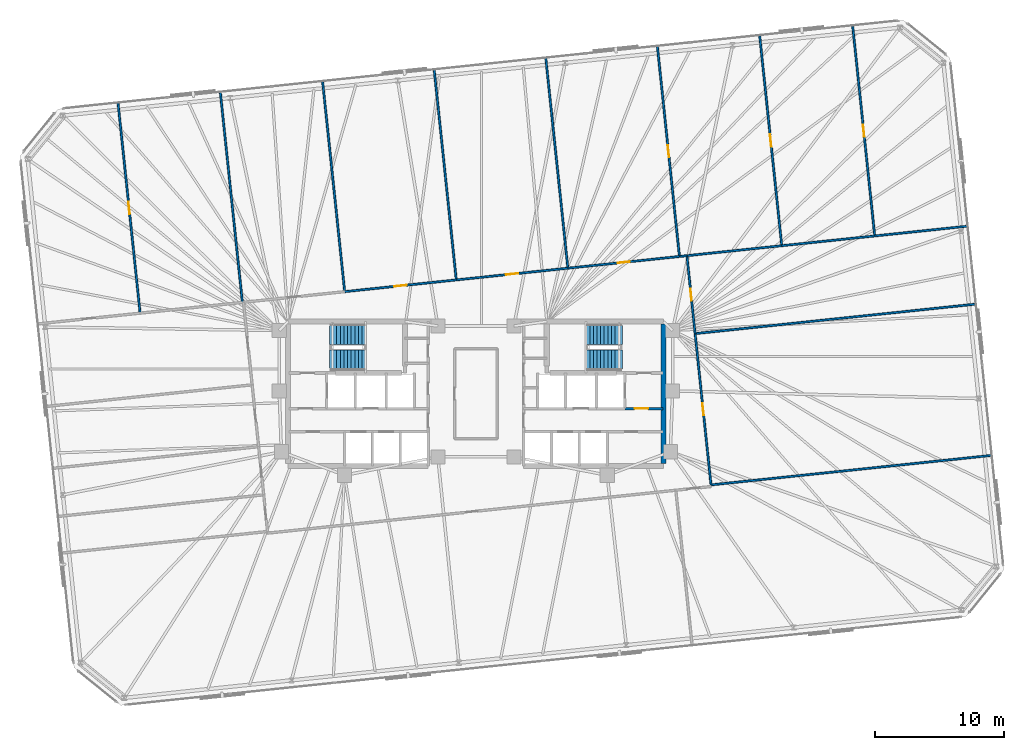
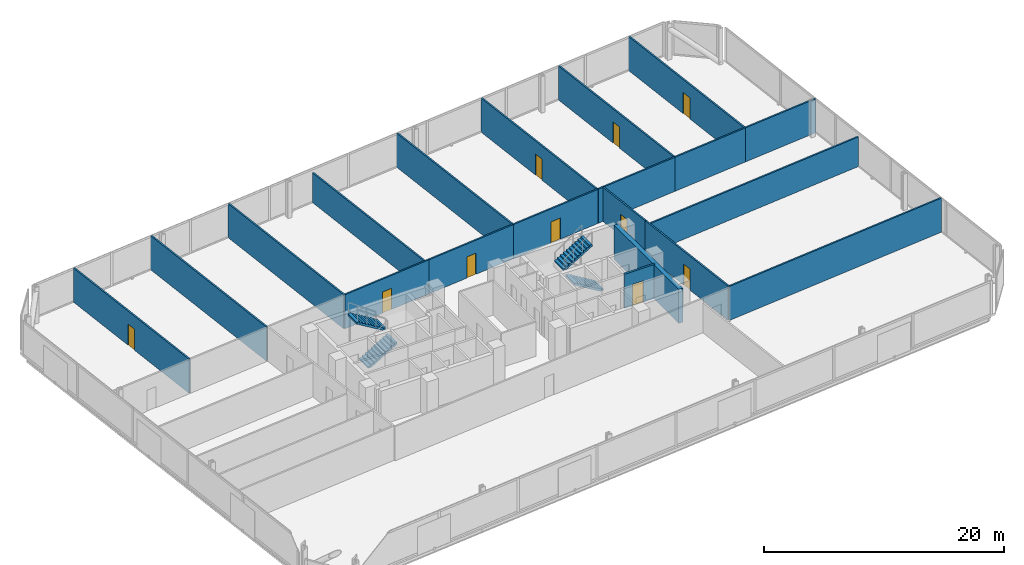
# One storey, part 16 of 18: 21 walls, 10 doors, 4 stair flights, 10 openings, 2 elements without a shape of their own.
"""IFC4 building model written with IfcOpenShell, lengths in metres."""

from ifc_helpers import new_model, si_unit, direction, frame, frame_2d, origin, place, context, subcontext, project, spatial, polyline, rectangle, outline, extrude, material, layer, layer_set, type_object, element, fill, aggregate, save


model = new_model("IFC4")

# Units and contexts
model_context = context("Model", 3, precision=1e-05, world=origin(), true_north=direction((0.0, 1.0)))
body_context = subcontext(model_context, "Body", "Model", "MODEL_VIEW")
ifc_project = project(units=[si_unit("LENGTHUNIT", "METRE"), si_unit("AREAUNIT", "SQUARE_METRE"), si_unit("VOLUMEUNIT", "CUBIC_METRE"), si_unit("PLANEANGLEUNIT", "RADIAN"), si_unit("MASSUNIT", "GRAM", prefix="KILO")], contexts=[model_context])

# Site, building, storey
site_placement = place(None, origin())
site = spatial("IfcSite", under=ifc_project, at=site_placement, CompositionType="ELEMENT")
building_placement = place(site_placement, origin())
building = spatial("IfcBuilding", under=site, at=building_placement, Name="Menara Jurai Vektor", CompositionType="ELEMENT")
storey_placement = place(building_placement, frame((0.0, 0.0, 128.10009765625)))
storey = spatial("IfcBuildingStorey", under=building, at=storey_placement, Name="L32", CompositionType="ELEMENT", Elevation=128.10009765625)

# Wall, opening, door
ifc_material_1 = material(Name="Concrete C40/50", Category="concrete")
ifc_layer_1 = layer(ifc_material_1, 0.25)
ifc_layer_set_1 = layer_set([ifc_layer_1], Name="Concrete C40/50")
wall_type_1 = type_object("IfcWallType", Name="INT-WALL-CORE-250", PredefinedType="STANDARD", material=ifc_layer_set_1)
wall_1_placement = place(storey_placement, frame((11.550048828125, -1.14990234375, 0.0), z_axis=(0.0, 0.0, 1.0), x_axis=(1.0, 0.0, 0.0)))
wall_1 = element("IfcWall", 1, at=wall_1_placement, inside=storey, type_object=wall_type_1, Name="Interior Wall IW-250 L32", PredefinedType="STANDARD", context=body_context, shape_type="SweptSolid", body=[
    extrude(rectangle(XDim=2.949951171875, YDim=0.199951171875, at=frame_2d((1.47509765625, 0.0))), origin(), (0.0, 0.0, 1.0), 3.474853515625),
])
opening_1_placement = place(wall_1_placement, frame((0.75, 0.0, 0.0)))
opening_1 = element("IfcOpeningElement", 2, at=opening_1_placement, cuts=wall_1, Name="Opening D-L32-FFE", PredefinedType="OPENING", context=body_context, shape_type="SweptSolid", body=[
    extrude(rectangle(XDim=1.050048828125, YDim=2.179931640625, at=frame_2d((0.52490234375, 1.08984375))), frame((0.0, 0.10986328125, 0.0), z_axis=(0.0, -1.0, 0.0), x_axis=(1.0, 0.0, 0.0)), (0.0, 0.0, 1.0), 0.219970703125),
])
ifc_material_2 = material(Name="Fire-Rated Timber Door", Category="wood")
door_type_1 = type_object("IfcDoorType", Name="DR-LOBBY-1050", OperationType="NOTDEFINED", PredefinedType="DOOR", material=ifc_material_2)
door_1_placement = place(opening_1_placement, origin())
door_1 = element("IfcDoor", 3, at=door_1_placement, inside=storey, type_object=door_type_1, Name="Fire Lift Lobby Door E L32", OperationType="SINGLE_SWING_LEFT", OverallHeight=2.179931640625, OverallWidth=1.050048828125, PredefinedType="DOOR", context=body_context, shape_type="SweptSolid", body=[
    extrude(rectangle(XDim=1.050048828125, YDim=2.179931640625, at=frame_2d((0.52490234375, 1.08984375))), frame((0.0, 0.02490234375, 0.0), z_axis=(0.0, -1.0, 0.0), x_axis=(1.0, 0.0, 0.0)), (0.0, 0.0, 1.0), 0.050048828125),
])
fill(opening_1, door_1)

ifc_material_3 = material(Name="Gypsum Fireboard Partition", Category="gypsum")
ifc_layer_2 = layer(ifc_material_3, 0.14990234375)
ifc_layer_set_2 = layer_set([ifc_layer_2], Name="Gypsum Fireboard Partition")
wall_type_2 = type_object("IfcWallType", Name="INT-WALL-CORR-150", PredefinedType="PARTITIONING", material=ifc_layer_set_2)
wall_2_placement = place(storey_placement, frame((-10.172607421875, 7.915283203125, 0.0), z_axis=(0.0, 0.0, 1.0), x_axis=(0.994521586424, 0.104531402636, 0.0)))
wall_2 = element("IfcWall", 4, at=wall_2_placement, inside=storey, type_object=wall_type_2, Name="Interior Wall IW-150 L32", PredefinedType="PARTITIONING", context=body_context, shape_type="SweptSolid", body=[
    extrude(rectangle(XDim=8.699951171875, YDim=0.14990234375, at=frame_2d((4.35009765625, 0.0))), origin(), (0.0, 0.0, 1.0), 3.474853515625),
])
opening_2_placement = place(wall_2_placement, frame((3.875, 0.0, 0.0)))
opening_2 = element("IfcOpeningElement", 5, at=opening_2_placement, cuts=wall_2, Name="Opening D32-10", PredefinedType="OPENING", context=body_context, shape_type="SweptSolid", body=[
    extrude(rectangle(XDim=0.949951171875, YDim=2.14990234375, at=frame_2d((0.47509765625, 1.074951171875))), frame((0.0, 0.0849609375, 0.0), z_axis=(0.0, -1.0, 0.0), x_axis=(1.0, 0.0, 0.0)), (0.0, 0.0, 1.0), 0.169921875),
])
ifc_material_4 = material(Name="Solid Core Timber Fire Door", Category="wood")
door_type_2 = type_object("IfcDoorType", Name="DR-ENTRY-950", OperationType="NOTDEFINED", PredefinedType="DOOR", material=ifc_material_4)
door_2_placement = place(opening_2_placement, origin())
door_2 = element("IfcDoor", 6, at=door_2_placement, inside=storey, type_object=door_type_2, Name="Interior Door D32-10", OperationType="SINGLE_SWING_LEFT", OverallHeight=2.14990234375, OverallWidth=0.949951171875, PredefinedType="DOOR", context=body_context, shape_type="SweptSolid", body=[
    extrude(rectangle(XDim=0.949951171875, YDim=2.14990234375, at=frame_2d((0.47509765625, 1.074951171875))), frame((0.0, 0.02490234375, 0.0), z_axis=(0.0, -1.0, 0.0), x_axis=(1.0, 0.0, 0.0)), (0.0, 0.0, 1.0), 0.050048828125),
])
fill(opening_2, door_2)

wall_3_placement = place(storey_placement, frame((-1.520263671875, 8.82470703125, 0.0), z_axis=(0.0, 0.0, 1.0), x_axis=(0.994524503348, 0.104503647022, 0.0)))
wall_3 = element("IfcWall", 7, at=wall_3_placement, inside=storey, type_object=wall_type_2, Name="Interior Wall IW-150 L32", PredefinedType="PARTITIONING", context=body_context, shape_type="SweptSolid", body=[
    extrude(rectangle(XDim=8.699951171875, YDim=0.14990234375, at=frame_2d((4.35009765625, 0.0))), origin(), (0.0, 0.0, 1.0), 3.474853515625),
])
opening_3_placement = place(wall_3_placement, frame((3.875, 0.0, 0.0)))
opening_3 = element("IfcOpeningElement", 8, at=opening_3_placement, cuts=wall_3, Name="Opening D32-11", PredefinedType="OPENING", context=body_context, shape_type="SweptSolid", body=[
    extrude(rectangle(XDim=0.949951171875, YDim=2.14990234375, at=frame_2d((0.47509765625, 1.074951171875))), frame((0.0, 0.0849609375, 0.0), z_axis=(0.0, -1.0, 0.0), x_axis=(1.0, 0.0, 0.0)), (0.0, 0.0, 1.0), 0.169921875),
])
door_3_placement = place(opening_3_placement, origin())
door_3 = element("IfcDoor", 9, at=door_3_placement, inside=storey, type_object=door_type_2, Name="Interior Door D32-11", OperationType="SINGLE_SWING_RIGHT", OverallHeight=2.14990234375, OverallWidth=0.949951171875, PredefinedType="DOOR", context=body_context, shape_type="SweptSolid", body=[
    extrude(rectangle(XDim=0.949951171875, YDim=2.14990234375, at=frame_2d((0.47509765625, 1.074951171875))), frame((0.0, 0.02490234375, 0.0), z_axis=(0.0, -1.0, 0.0), x_axis=(1.0, 0.0, 0.0)), (0.0, 0.0, 1.0), 0.050048828125),
])
fill(opening_3, door_3)

wall_4_placement = place(storey_placement, frame((7.132080078125, 9.73388671875, 0.0), z_axis=(0.0, 0.0, 1.0), x_axis=(0.994521586424, 0.104531402636, 0.0)))
wall_4 = element("IfcWall", 10, at=wall_4_placement, inside=storey, type_object=wall_type_2, Name="Interior Wall IW-150 L32", PredefinedType="PARTITIONING", context=body_context, shape_type="SweptSolid", body=[
    extrude(rectangle(XDim=8.699951171875, YDim=0.14990234375, at=frame_2d((4.35009765625, 0.0))), origin(), (0.0, 0.0, 1.0), 3.474853515625),
])
opening_4_placement = place(wall_4_placement, frame((3.875, 0.0, 0.0)))
opening_4 = element("IfcOpeningElement", 11, at=opening_4_placement, cuts=wall_4, Name="Opening D32-12", PredefinedType="OPENING", context=body_context, shape_type="SweptSolid", body=[
    extrude(rectangle(XDim=0.949951171875, YDim=2.14990234375, at=frame_2d((0.47509765625, 1.074951171875))), frame((0.0, 0.0849609375, 0.0), z_axis=(0.0, -1.0, 0.0), x_axis=(1.0, 0.0, 0.0)), (0.0, 0.0, 1.0), 0.169921875),
])
door_4_placement = place(opening_4_placement, origin())
door_4 = element("IfcDoor", 12, at=door_4_placement, inside=storey, type_object=door_type_2, Name="Interior Door D32-12", OperationType="SINGLE_SWING_LEFT", OverallHeight=2.14990234375, OverallWidth=0.949951171875, PredefinedType="DOOR", context=body_context, shape_type="SweptSolid", body=[
    extrude(rectangle(XDim=0.949951171875, YDim=2.14990234375, at=frame_2d((0.47509765625, 1.074951171875))), frame((0.0, 0.02490234375, 0.0), z_axis=(0.0, -1.0, 0.0), x_axis=(1.0, 0.0, 0.0)), (0.0, 0.0, 1.0), 0.050048828125),
])
fill(opening_4, door_4)

# Wall
wall_5_placement = place(storey_placement, frame((15.8291015625, 10.648193359375, 0.0), z_axis=(0.0, 0.0, 1.0), x_axis=(0.994567544876, 0.104093221104, 0.0)))
element("IfcWall", 13, at=wall_5_placement, inside=storey, type_object=wall_type_2, Name="Interior Wall IW-150 L32", PredefinedType="PARTITIONING", context=body_context, shape_type="SweptSolid", body=[
    extrude(rectangle(XDim=0.537109375, YDim=0.14990234375, at=frame_2d((0.2685546875, 0.0))), origin(), (0.0, 0.0, 1.0), 3.474853515625),
])

# Wall, opening, door
wall_6_placement = place(storey_placement, frame((18.231201171875, -7.06787109375, 0.0), z_axis=(0.0, 0.0, 1.0), x_axis=(-0.104536082083, 0.994521094569, 0.0)))
wall_6 = element("IfcWall", 14, at=wall_6_placement, inside=storey, type_object=wall_type_2, Name="Interior Wall IW-150 L32", PredefinedType="PARTITIONING", context=body_context, shape_type="SweptSolid", body=[
    extrude(rectangle(XDim=11.794189453125, YDim=0.14990234375, at=frame_2d((5.89697265625, 0.0))), origin(), (0.0, 0.0, 1.0), 3.474853515625),
])
opening_5_placement = place(wall_6_placement, frame((5.422119140625, 0.0, 0.0)))
opening_5 = element("IfcOpeningElement", 15, at=opening_5_placement, cuts=wall_6, Name="Opening D32-19", PredefinedType="OPENING", context=body_context, shape_type="SweptSolid", body=[
    extrude(rectangle(XDim=0.949951171875, YDim=2.14990234375, at=frame_2d((0.47509765625, 1.074951171875))), frame((0.0, 0.0849609375, 0.0), z_axis=(0.0, -1.0, 0.0), x_axis=(1.0, 0.0, 0.0)), (0.0, 0.0, 1.0), 0.169921875),
])
door_5_placement = place(opening_5_placement, origin())
door_5 = element("IfcDoor", 16, at=door_5_placement, inside=storey, type_object=door_type_2, Name="Interior Door D32-19", OperationType="SINGLE_SWING_RIGHT", OverallHeight=2.14990234375, OverallWidth=0.949951171875, PredefinedType="DOOR", context=body_context, shape_type="SweptSolid", body=[
    extrude(rectangle(XDim=0.949951171875, YDim=2.14990234375, at=frame_2d((0.47509765625, 1.074951171875))), frame((0.0, 0.02490234375, 0.0), z_axis=(0.0, -1.0, 0.0), x_axis=(1.0, 0.0, 0.0)), (0.0, 0.0, 1.0), 0.050048828125),
])
fill(opening_5, door_5)

wall_7_placement = place(storey_placement, frame((16.998291015625, 4.66162109375, 0.0), z_axis=(0.0, 0.0, 1.0), x_axis=(-0.104515354875, 0.994523273029, 0.0)))
wall_7 = element("IfcWall", 17, at=wall_7_placement, inside=storey, type_object=wall_type_2, Name="Interior Wall IW-150 L32", PredefinedType="PARTITIONING", context=body_context, shape_type="SweptSolid", body=[
    extrude(rectangle(XDim=6.07568359375, YDim=0.14990234375, at=frame_2d((3.037841796875, 0.0))), origin(), (0.0, 0.0, 1.0), 3.474853515625),
])
opening_6_placement = place(wall_7_placement, frame((2.56298828125, 0.0, 0.0)))
opening_6 = element("IfcOpeningElement", 18, at=opening_6_placement, cuts=wall_7, Name="Opening D32-20", PredefinedType="OPENING", context=body_context, shape_type="SweptSolid", body=[
    extrude(rectangle(XDim=0.949951171875, YDim=2.14990234375, at=frame_2d((0.47509765625, 1.074951171875))), frame((0.0, 0.0849609375, 0.0), z_axis=(0.0, -1.0, 0.0), x_axis=(1.0, 0.0, 0.0)), (0.0, 0.0, 1.0), 0.169921875),
])
door_6_placement = place(opening_6_placement, origin())
door_6 = element("IfcDoor", 19, at=door_6_placement, inside=storey, type_object=door_type_2, Name="Interior Door D32-20", OperationType="SINGLE_SWING_LEFT", OverallHeight=2.14990234375, OverallWidth=0.949951171875, PredefinedType="DOOR", context=body_context, shape_type="SweptSolid", body=[
    extrude(rectangle(XDim=0.949951171875, YDim=2.14990234375, at=frame_2d((0.47509765625, 1.074951171875))), frame((0.0, 0.02490234375, 0.0), z_axis=(0.0, -1.0, 0.0), x_axis=(1.0, 0.0, 0.0)), (0.0, 0.0, 1.0), 0.050048828125),
])
fill(opening_6, door_6)

wall_8_placement = place(storey_placement, frame((-26.03515625, 6.248046875, 0.0), z_axis=(0.0, 0.0, 1.0), x_axis=(-0.104536080245, 0.994521094762, 0.0)))
wall_8 = element("IfcWall", 20, at=wall_8_placement, inside=storey, type_object=wall_type_2, Name="Interior Wall IW-150 L32", PredefinedType="PARTITIONING", context=body_context, shape_type="SweptSolid", body=[
    extrude(rectangle(XDim=16.408935546875, YDim=0.14990234375, at=frame_2d((8.20458984375, 0.0))), origin(), (0.0, 0.0, 1.0), 3.474853515625),
])
opening_7_placement = place(wall_8_placement, frame((7.7294921875, 0.0, 0.0)))
opening_7 = element("IfcOpeningElement", 21, at=opening_7_placement, cuts=wall_8, Name="Opening D32-22", PredefinedType="OPENING", context=body_context, shape_type="SweptSolid", body=[
    extrude(rectangle(XDim=0.949951171875, YDim=2.14990234375, at=frame_2d((0.47509765625, 1.074951171875))), frame((0.0, 0.0849609375, 0.0), z_axis=(0.0, -1.0, 0.0), x_axis=(1.0, 0.0, 0.0)), (0.0, 0.0, 1.0), 0.169921875),
])
door_7_placement = place(opening_7_placement, origin())
door_7 = element("IfcDoor", 22, at=door_7_placement, inside=storey, type_object=door_type_2, Name="Interior Door D32-22", OperationType="SINGLE_SWING_LEFT", OverallHeight=2.14990234375, OverallWidth=0.949951171875, PredefinedType="DOOR", context=body_context, shape_type="SweptSolid", body=[
    extrude(rectangle(XDim=0.949951171875, YDim=2.14990234375, at=frame_2d((0.47509765625, 1.074951171875))), frame((0.0, 0.02490234375, 0.0), z_axis=(0.0, -1.0, 0.0), x_axis=(1.0, 0.0, 0.0)), (0.0, 0.0, 1.0), 0.050048828125),
])
fill(opening_7, door_7)

# Walls
for number, where, z_axis, x_axis, name in (
    (23, (-18.10400390625, 7.08154296875, 0.0), (0.0, 0.0, 1.0), (-0.104521364336, 0.99452264147, 0.0), "Interior Wall IW-150 L32"),
    (24, (-10.172607421875, 7.915283203125, 0.0), (0.0, 0.0, 1.0), (-0.104521364336, 0.99452264147, 0.0), "Interior Wall IW-150 L32"),
    (25, (7.132080078125, 9.73388671875, 0.0), (0.0, 0.0, 1.0), (-0.104521364336, 0.99452264147, 0.0), "Interior Wall IW-150 L32"),
):
    element("IfcWall", number, at=place(storey_placement, frame(where, z_axis=z_axis, x_axis=x_axis)), inside=storey, type_object=wall_type_2, Name=name, PredefinedType="PARTITIONING", context=body_context, shape_type="SweptSolid", body=[
        extrude(rectangle(XDim=16.408935546875, YDim=0.14990234375, at=frame_2d((8.20458984375, 0.0))), origin(), (0.0, 0.0, 1.0), 3.474853515625),
    ])

# Wall, opening, door
wall_9_placement = place(storey_placement, frame((15.784423828125, 10.643310546875, 0.0), z_axis=(0.0, 0.0, 1.0), x_axis=(-0.104521364336, 0.99452264147, 0.0)))
wall_9 = element("IfcWall", 26, at=wall_9_placement, inside=storey, type_object=wall_type_2, Name="Interior Wall IW-150 L32", PredefinedType="PARTITIONING", context=body_context, shape_type="SweptSolid", body=[
    extrude(rectangle(XDim=16.408935546875, YDim=0.14990234375, at=frame_2d((8.20458984375, 0.0))), origin(), (0.0, 0.0, 1.0), 3.474853515625),
])
opening_8_placement = place(wall_9_placement, frame((7.7294921875, 0.0, 0.0)))
opening_8 = element("IfcOpeningElement", 27, at=opening_8_placement, cuts=wall_9, Name="Opening D32-23", PredefinedType="OPENING", context=body_context, shape_type="SweptSolid", body=[
    extrude(rectangle(XDim=0.949951171875, YDim=2.14990234375, at=frame_2d((0.47509765625, 1.074951171875))), frame((0.0, 0.0849609375, 0.0), z_axis=(0.0, -1.0, 0.0), x_axis=(1.0, 0.0, 0.0)), (0.0, 0.0, 1.0), 0.169921875),
])
door_8_placement = place(opening_8_placement, origin())
door_8 = element("IfcDoor", 28, at=door_8_placement, inside=storey, type_object=door_type_2, Name="Interior Door D32-23", OperationType="SINGLE_SWING_RIGHT", OverallHeight=2.14990234375, OverallWidth=0.949951171875, PredefinedType="DOOR", context=body_context, shape_type="SweptSolid", body=[
    extrude(rectangle(XDim=0.949951171875, YDim=2.14990234375, at=frame_2d((0.47509765625, 1.074951171875))), frame((0.0, 0.02490234375, 0.0), z_axis=(0.0, -1.0, 0.0), x_axis=(1.0, 0.0, 0.0)), (0.0, 0.0, 1.0), 0.050048828125),
])
fill(opening_8, door_8)

wall_10_placement = place(storey_placement, frame((23.7158203125, 11.47705078125, 0.0), z_axis=(0.0, 0.0, 1.0), x_axis=(-0.104536080245, 0.994521094762, 0.0)))
wall_10 = element("IfcWall", 29, at=wall_10_placement, inside=storey, type_object=wall_type_2, Name="Interior Wall IW-150 L32", PredefinedType="PARTITIONING", context=body_context, shape_type="SweptSolid", body=[
    extrude(rectangle(XDim=16.408935546875, YDim=0.14990234375, at=frame_2d((8.20458984375, 0.0))), origin(), (0.0, 0.0, 1.0), 3.474853515625),
])
opening_9_placement = place(wall_10_placement, frame((7.7294921875, 0.0, 0.0)))
opening_9 = element("IfcOpeningElement", 30, at=opening_9_placement, cuts=wall_10, Name="Opening D32-24", PredefinedType="OPENING", context=body_context, shape_type="SweptSolid", body=[
    extrude(rectangle(XDim=0.949951171875, YDim=2.14990234375, at=frame_2d((0.47509765625, 1.074951171875))), frame((0.0, 0.0849609375, 0.0), z_axis=(0.0, -1.0, 0.0), x_axis=(1.0, 0.0, 0.0)), (0.0, 0.0, 1.0), 0.169921875),
])
door_9_placement = place(opening_9_placement, origin())
door_9 = element("IfcDoor", 31, at=door_9_placement, inside=storey, type_object=door_type_2, Name="Interior Door D32-24", OperationType="SINGLE_SWING_LEFT", OverallHeight=2.14990234375, OverallWidth=0.949951171875, PredefinedType="DOOR", context=body_context, shape_type="SweptSolid", body=[
    extrude(rectangle(XDim=0.949951171875, YDim=2.14990234375, at=frame_2d((0.47509765625, 1.074951171875))), frame((0.0, 0.02490234375, 0.0), z_axis=(0.0, -1.0, 0.0), x_axis=(1.0, 0.0, 0.0)), (0.0, 0.0, 1.0), 0.050048828125),
])
fill(opening_9, door_9)

# Wall
wall_11_placement = place(storey_placement, frame((16.36328125, 10.7041015625, 0.0), z_axis=(0.0, 0.0, 1.0), x_axis=(0.994519557807, 0.104550701289, 0.0)))
element("IfcWall", 32, at=wall_11_placement, inside=storey, type_object=wall_type_2, Name="Interior Wall IW-150 L32", PredefinedType="PARTITIONING", context=body_context, shape_type="SweptSolid", body=[
    extrude(rectangle(XDim=7.39306640625, YDim=0.14990234375, at=frame_2d((3.696533203125, 0.0))), origin(), (0.0, 0.0, 1.0), 3.474853515625),
])

# Wall, opening, door
wall_12_placement = place(storey_placement, frame((30.926025390625, 12.23486328125, 0.0), z_axis=(0.0, 0.0, 1.0), x_axis=(-0.104536080245, 0.994521094762, 0.0)))
wall_12 = element("IfcWall", 33, at=wall_12_placement, inside=storey, type_object=wall_type_2, Name="Interior Wall IW-150 L32", PredefinedType="PARTITIONING", context=body_context, shape_type="SweptSolid", body=[
    extrude(rectangle(XDim=16.408935546875, YDim=0.14990234375, at=frame_2d((8.20458984375, 0.0))), origin(), (0.0, 0.0, 1.0), 3.474853515625),
])
opening_10_placement = place(wall_12_placement, frame((7.7294921875, 0.0, 0.0)))
opening_10 = element("IfcOpeningElement", 34, at=opening_10_placement, cuts=wall_12, Name="Opening D32-25", PredefinedType="OPENING", context=body_context, shape_type="SweptSolid", body=[
    extrude(rectangle(XDim=0.949951171875, YDim=2.14990234375, at=frame_2d((0.47509765625, 1.074951171875))), frame((0.0, 0.0849609375, 0.0), z_axis=(0.0, -1.0, 0.0), x_axis=(1.0, 0.0, 0.0)), (0.0, 0.0, 1.0), 0.169921875),
])
door_10_placement = place(opening_10_placement, origin())
door_10 = element("IfcDoor", 35, at=door_10_placement, inside=storey, type_object=door_type_2, Name="Interior Door D32-25", OperationType="SINGLE_SWING_RIGHT", OverallHeight=2.14990234375, OverallWidth=0.949951171875, PredefinedType="DOOR", context=body_context, shape_type="SweptSolid", body=[
    extrude(rectangle(XDim=0.949951171875, YDim=2.14990234375, at=frame_2d((0.47509765625, 1.074951171875))), frame((0.0, 0.02490234375, 0.0), z_axis=(0.0, -1.0, 0.0), x_axis=(1.0, 0.0, 0.0)), (0.0, 0.0, 1.0), 0.050048828125),
])
fill(opening_10, door_10)

# Walls
for number, where, z_axis, x_axis, name in (
    (36, (23.7158203125, 11.47705078125, 0.0), (0.0, 0.0, 1.0), (0.994522047228, 0.104527018406, 0.0), "Interior Wall IW-150 L32"),
    (37, (30.926025390625, 12.23486328125, 0.0), (0.0, 0.0, 1.0), (0.994522047228, 0.104527018406, 0.0), "Interior Wall IW-150 L32"),
):
    element("IfcWall", number, at=place(storey_placement, frame(where, z_axis=z_axis, x_axis=x_axis)), inside=storey, type_object=wall_type_2, Name=name, PredefinedType="PARTITIONING", context=body_context, shape_type="SweptSolid", body=[
        extrude(rectangle(XDim=7.25, YDim=0.14990234375, at=frame_2d((3.625, 0.0))), origin(), (0.0, 0.0, 1.0), 3.474853515625),
    ])
wall_13_placement = place(storey_placement, frame((18.231201171875, -7.06787109375, 0.0), z_axis=(0.0, 0.0, 1.0), x_axis=(0.994521328491, 0.104533856601, 0.0)))
element("IfcWall", 38, at=wall_13_placement, inside=storey, type_object=wall_type_2, Name="Interior Wall IW-150 L32", PredefinedType="PARTITIONING", context=body_context, shape_type="SweptSolid", body=[
    extrude(rectangle(XDim=21.89306640625, YDim=0.14990234375, at=frame_2d((10.946533203125, 0.0))), origin(), (0.0, 0.0, 1.0), 3.474853515625),
])
ifc_layer_3 = layer(ifc_material_3, 0.14990234375)
ifc_layer_set_3 = layer_set([ifc_layer_3], Name="Gypsum Fireboard Partition")
wall_type_3 = type_object("IfcWallType", Name="INT-WALL-CORR-150-H1", PredefinedType="PARTITIONING", material=ifc_layer_set_3)
wall_14_placement = place(storey_placement, frame((-1.520263671875, 8.82470703125, 0.0), z_axis=(0.0, 0.0, 1.0), x_axis=(-0.104521364336, 0.99452264147, 0.0)))
element("IfcWall", 39, at=wall_14_placement, inside=storey, type_object=wall_type_3, Name="Interior Wall IW-150 L32", PredefinedType="PARTITIONING", context=body_context, shape_type="SweptSolid", body=[
    extrude(rectangle(XDim=16.408935546875, YDim=0.14990234375, at=frame_2d((8.20458984375, 0.0))), origin(), (0.0, 0.0, 1.0), 3.02490234375),
])
wall_15_placement = place(storey_placement, frame((16.998291015625, 4.66162109375, 0.0), z_axis=(0.0, 0.0, 1.0), x_axis=(0.994522487751, 0.10452282697, 0.0)))
element("IfcWall", 40, at=wall_15_placement, inside=storey, type_object=wall_type_3, Name="Interior Wall IW-150 L32", PredefinedType="PARTITIONING", context=body_context, shape_type="SweptSolid", body=[
    extrude(rectangle(XDim=21.89306640625, YDim=0.14990234375, at=frame_2d((10.946533203125, 0.0))), origin(), (0.0, 0.0, 1.0), 3.02490234375),
])
ifc_material_5 = material(Name="Concrete C50/60", Category="concrete")
ifc_layer_4 = layer(ifc_material_5, 0.39990234375)
ifc_layer_set_4 = layer_set([ifc_layer_4], Name="Concrete C50/60")
wall_type_4 = type_object("IfcWallType", Name="STR-WALL-CORE400", PredefinedType="SHEAR", material=ifc_layer_set_4)
wall_16_placement = place(storey_placement, frame((14.56005859375, -5.39990234375, 0.0), z_axis=(0.0, 0.0, 1.0), x_axis=(0.0, 1.0, 0.0)))
element("IfcWall", 41, at=wall_16_placement, inside=storey, type_object=wall_type_4, Name="Core Shear Wall CW-E-E L32", PredefinedType="SHEAR", context=body_context, shape_type="SweptSolid", body=[
    extrude(rectangle(XDim=10.7998046875, YDim=0.39990234375, at=frame_2d((5.39990234375, 0.0))), origin(), (0.0, 0.0, 1.0), 3.474853515625),
])

# Stair, stair flights
stair_type = type_object("IfcStairType", Name="STAIR-DOGLEG-1500", PredefinedType="HALF_TURN_STAIR", material=ifc_material_1)
stair_1_placement = place(storey_placement, origin())
stair_1 = element("IfcStair", 42, at=stair_1_placement, inside=storey, type_object=stair_type, Name="Protected Exit Stair ST1 L32", PredefinedType="HALF_TURN_STAIR")
stair_flight_type = type_object("IfcStairFlightType", Name="STAIR-FLIGHT-1500", PredefinedType="STRAIGHT", material=ifc_material_1)
stair_flight_1_placement = place(storey_placement, frame((-11.35009765625, 2.64990234375, 0.0), z_axis=(0.0, 0.0, 1.0), x_axis=(1.0, 0.0, 0.0)))
stair_flight_1 = element("IfcStairFlight", 43, at=stair_flight_1_placement, type_object=stair_flight_type, Name="ST1 flight 1", NumberOfRisers=11, NumberOfTreads=10, PredefinedType="STRAIGHT", RiserHeight=0.168182, TreadLength=0.28, context=body_context, shape_type="SweptSolid", body=[
    extrude(outline(polyline([(0.0, 0.0), (0.0, 0.168212890625), (0.280029296875, 0.168212890625), (0.280029296875, 0.33642578125), (0.56005859375, 0.33642578125), (0.56005859375, 0.504638671875), (0.840087890625, 0.504638671875), (0.840087890625, 0.672607421875), (1.1201171875, 0.672607421875), (1.1201171875, 0.8408203125), (1.39990234375, 0.8408203125), (1.39990234375, 1.009033203125), (1.679931640625, 1.009033203125), (1.679931640625, 1.17724609375), (1.9599609375, 1.17724609375), (1.9599609375, 1.345458984375), (2.239990234375, 1.345458984375), (2.239990234375, 1.513671875), (2.52001953125, 1.513671875), (2.52001953125, 1.681884765625), (2.800048828125, 1.681884765625), (2.800048828125, 1.85009765625), (2.800048828125, 1.495361328125), (0.310546875, 0.0), (0.0, 0.0)])), frame((0.0, 0.75, 0.0), z_axis=(0.0, -1.0, 0.0), x_axis=(1.0, 0.0, 0.0)), (0.0, 0.0, 1.0), 1.5),
])
stair_flight_2_placement = place(storey_placement, frame((-8.550048828125, 4.550048828125, 1.849853515625), z_axis=(0.0, 0.0, 1.0), x_axis=(-1.0, 0.0, 0.0)))
stair_flight_2 = element("IfcStairFlight", 44, at=stair_flight_2_placement, type_object=stair_flight_type, Name="ST1 flight 2", NumberOfRisers=11, NumberOfTreads=10, PredefinedType="STRAIGHT", RiserHeight=0.168182, TreadLength=0.28, context=body_context, shape_type="SweptSolid", body=[
    extrude(outline(polyline([(0.0, 0.0), (0.0, 0.168212890625), (0.280029296875, 0.168212890625), (0.280029296875, 0.33642578125), (0.56005859375, 0.33642578125), (0.56005859375, 0.504638671875), (0.840087890625, 0.504638671875), (0.840087890625, 0.672607421875), (1.1201171875, 0.672607421875), (1.1201171875, 0.8408203125), (1.39990234375, 0.8408203125), (1.39990234375, 1.009033203125), (1.679931640625, 1.009033203125), (1.679931640625, 1.17724609375), (1.9599609375, 1.17724609375), (1.9599609375, 1.345458984375), (2.239990234375, 1.345458984375), (2.239990234375, 1.513671875), (2.52001953125, 1.513671875), (2.52001953125, 1.681884765625), (2.800048828125, 1.681884765625), (2.800048828125, 1.85009765625), (2.800048828125, 1.495361328125), (0.310546875, 0.0), (0.0, 0.0)])), frame((0.0, 0.75, 0.0), z_axis=(0.0, -1.0, 0.0), x_axis=(1.0, 0.0, 0.0)), (0.0, 0.0, 1.0), 1.5),
])
aggregate(stair_1, [stair_flight_1, stair_flight_2])

stair_2_placement = place(storey_placement, origin())
stair_2 = element("IfcStair", 45, at=stair_2_placement, inside=storey, type_object=stair_type, Name="Protected Exit Stair ST2 L32", PredefinedType="HALF_TURN_STAIR")
stair_flight_3_placement = place(storey_placement, frame((11.35009765625, 2.64990234375, 0.0), z_axis=(0.0, 0.0, 1.0), x_axis=(-1.0, 0.0, 0.0)))
stair_flight_3 = element("IfcStairFlight", 46, at=stair_flight_3_placement, type_object=stair_flight_type, Name="ST2 flight 1", NumberOfRisers=11, NumberOfTreads=10, PredefinedType="STRAIGHT", RiserHeight=0.168182, TreadLength=0.28, context=body_context, shape_type="SweptSolid", body=[
    extrude(outline(polyline([(0.0, 0.0), (0.0, 0.168212890625), (0.280029296875, 0.168212890625), (0.280029296875, 0.33642578125), (0.56005859375, 0.33642578125), (0.56005859375, 0.504638671875), (0.840087890625, 0.504638671875), (0.840087890625, 0.672607421875), (1.1201171875, 0.672607421875), (1.1201171875, 0.8408203125), (1.39990234375, 0.8408203125), (1.39990234375, 1.009033203125), (1.679931640625, 1.009033203125), (1.679931640625, 1.17724609375), (1.9599609375, 1.17724609375), (1.9599609375, 1.345458984375), (2.239990234375, 1.345458984375), (2.239990234375, 1.513671875), (2.52001953125, 1.513671875), (2.52001953125, 1.681884765625), (2.800048828125, 1.681884765625), (2.800048828125, 1.85009765625), (2.800048828125, 1.495361328125), (0.310546875, 0.0), (0.0, 0.0)])), frame((0.0, 0.75, 0.0), z_axis=(0.0, -1.0, 0.0), x_axis=(1.0, 0.0, 0.0)), (0.0, 0.0, 1.0), 1.5),
])
stair_flight_4_placement = place(storey_placement, frame((8.550048828125, 4.550048828125, 1.849853515625), z_axis=(0.0, 0.0, 1.0), x_axis=(1.0, 0.0, 0.0)))
stair_flight_4 = element("IfcStairFlight", 47, at=stair_flight_4_placement, type_object=stair_flight_type, Name="ST2 flight 2", NumberOfRisers=11, NumberOfTreads=10, PredefinedType="STRAIGHT", RiserHeight=0.168182, TreadLength=0.28, context=body_context, shape_type="SweptSolid", body=[
    extrude(outline(polyline([(0.0, 0.0), (0.0, 0.168212890625), (0.280029296875, 0.168212890625), (0.280029296875, 0.33642578125), (0.56005859375, 0.33642578125), (0.56005859375, 0.504638671875), (0.840087890625, 0.504638671875), (0.840087890625, 0.672607421875), (1.1201171875, 0.672607421875), (1.1201171875, 0.8408203125), (1.39990234375, 0.8408203125), (1.39990234375, 1.009033203125), (1.679931640625, 1.009033203125), (1.679931640625, 1.17724609375), (1.9599609375, 1.17724609375), (1.9599609375, 1.345458984375), (2.239990234375, 1.345458984375), (2.239990234375, 1.513671875), (2.52001953125, 1.513671875), (2.52001953125, 1.681884765625), (2.800048828125, 1.681884765625), (2.800048828125, 1.85009765625), (2.800048828125, 1.495361328125), (0.310546875, 0.0), (0.0, 0.0)])), frame((0.0, 0.75, 0.0), z_axis=(0.0, -1.0, 0.0), x_axis=(1.0, 0.0, 0.0)), (0.0, 0.0, 1.0), 1.5),
])
aggregate(stair_2, [stair_flight_3, stair_flight_4])

save(model, "model.ifc")
